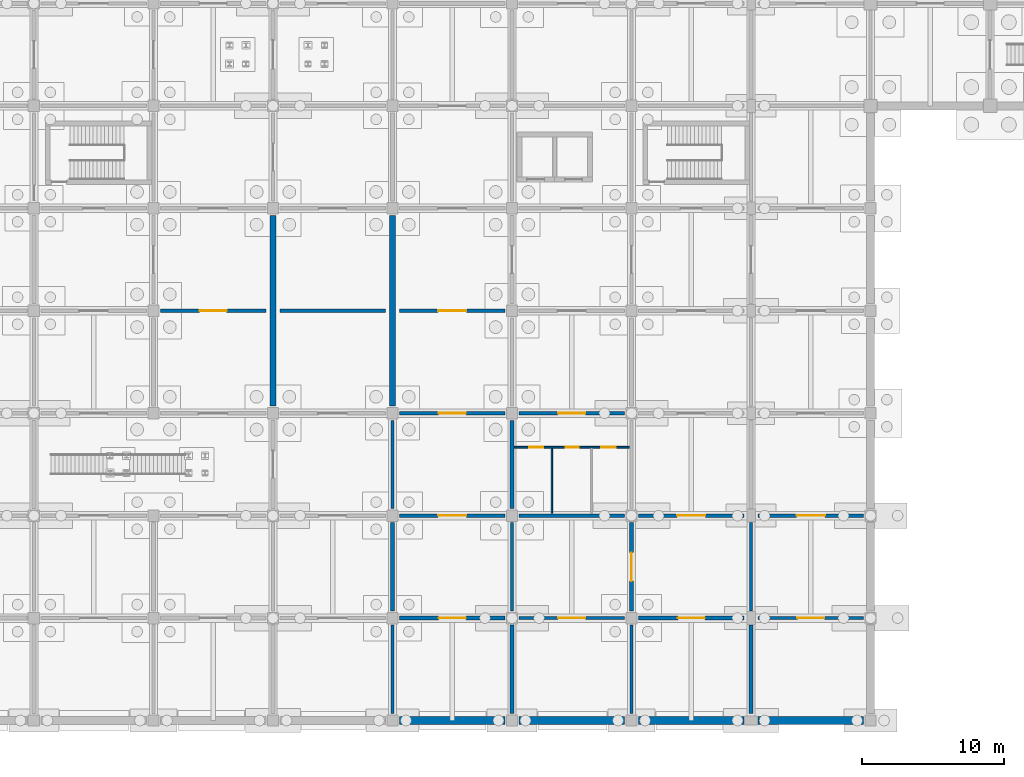
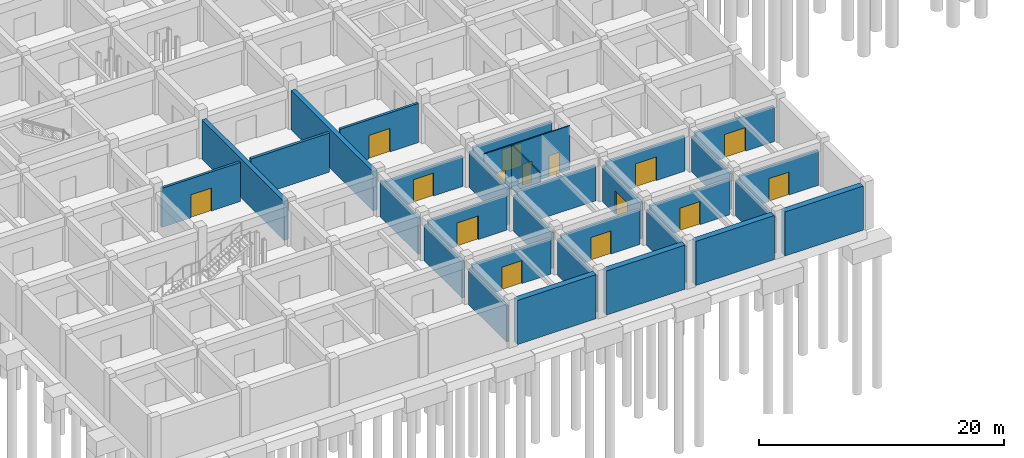
# One storey, part 24 of 38: 31 walls, 15 doors, 15 openings.
"""IFC4 building model written with IfcOpenShell, lengths in metres."""

from ifc_helpers import new_model, si_unit, derived_unit, direction, frame, frame_2d, origin, place, context, subcontext, project, spatial, rectangle, extrude, material, layer, layer_set, type_object, element, fill, save


model = new_model("IFC4")

# Units and contexts
model_context = context("Model", 3, precision=1e-05, world=origin(), true_north=direction((0.0, 1.0)))
body_context = subcontext(model_context, "Body", "Model", "MODEL_VIEW")
ifc_project = project(units=[si_unit("LENGTHUNIT", "METRE"), si_unit("AREAUNIT", "SQUARE_METRE"), si_unit("VOLUMEUNIT", "CUBIC_METRE"), si_unit("PLANEANGLEUNIT", "RADIAN"), si_unit("MASSUNIT", "GRAM", prefix="KILO"), derived_unit("THERMALTRANSMITTANCEUNIT", [(si_unit("MASSUNIT", "GRAM", prefix="KILO"), 1), (si_unit("TIMEUNIT", "SECOND"), -3), (si_unit("THERMODYNAMICTEMPERATUREUNIT", "KELVIN"), -1)])], contexts=[model_context])

# Site, building, storey
site_placement = place(None, origin())
site = spatial("IfcSite", under=ifc_project, at=site_placement, CompositionType="ELEMENT")
building_placement = place(site_placement, origin())
building = spatial("IfcBuilding", under=site, at=building_placement, Name="Veldstrom Oceanarium and Marine Research Institute", CompositionType="ELEMENT")
storey_placement = place(building_placement, frame((0.0, 0.0, -9.60009765625)))
storey = spatial("IfcBuildingStorey", under=building, at=storey_placement, Name="B02", CompositionType="ELEMENT", Elevation=-9.60009765625)

# Wall, opening, door
ifc_material_1 = material(Name="Masonry Fire Compartment Wall", Category="masonry")
ifc_layer_1 = layer(ifc_material_1, 0.22998046875)
ifc_layer_set_1 = layer_set([ifc_layer_1], Name="ARC-WAL-PT1")
wall_type_1 = type_object("IfcWallType", Name="ARC-WAL-PT1", PredefinedType="PARTITIONING", material=ifc_layer_set_1)
wall_1_placement = place(storey_placement, frame((17.300048828125, 28.800048828125, 0.0), z_axis=(0.0, 0.0, 1.0), x_axis=(1.0, 0.0, 0.0)))
wall_1 = element("IfcWall", 1, at=wall_1_placement, inside=storey, type_object=wall_type_1, Name="Interior Partition PT1 B02-0050", PredefinedType="PARTITIONING", context=body_context, shape_type="SweptSolid", body=[
    extrude(rectangle(XDim=7.39990234375, YDim=0.22998046875, at=frame_2d((3.699951171875, 0.0))), origin(), (0.0, 0.0, 1.0), 3.900146484375),
])
opening_1_placement = place(wall_1_placement, frame((2.75, 0.0, 0.0)))
opening_1 = element("IfcOpeningElement", 2, at=opening_1_placement, cuts=wall_1, Name="Opening D-B02-032", PredefinedType="OPENING", context=body_context, shape_type="SweptSolid", body=[
    extrude(rectangle(XDim=1.89990234375, YDim=2.300048828125, at=frame_2d((0.949951171875, 1.14990234375))), frame((0.0, 0.125, 0.0), z_axis=(0.0, -1.0, 0.0), x_axis=(1.0, 0.0, 0.0)), (0.0, 0.0, 1.0), 0.25),
])
ifc_material_2 = material(Name="Plant Hall Equipment Door", Category="steel")
door_type_1 = type_object("IfcDoorType", Name="ARC-DOR-ID12", OperationType="DOUBLE_DOOR_SINGLE_SWING", PredefinedType="DOOR", material=ifc_material_2)
door_1_placement = place(opening_1_placement, frame((1.89990234375, 0.0, 0.0), z_axis=(0.0, 0.0, 1.0), x_axis=(-1.0, 0.0, 0.0)))
door_1 = element("IfcDoor", 3, at=door_1_placement, inside=storey, type_object=door_type_1, Name="Interior Door D-B02-032", OperationType="DOUBLE_DOOR_SINGLE_SWING", OverallHeight=2.300048828125, OverallWidth=1.89990234375, PredefinedType="DOOR", context=body_context, shape_type="SweptSolid", body=[
    extrude(rectangle(XDim=1.89990234375, YDim=2.300048828125, at=frame_2d((0.949951171875, 1.14990234375))), frame((0.0, 0.02490234375, 0.0), z_axis=(0.0, -1.0, 0.0), x_axis=(1.0, 0.0, 0.0)), (0.0, 0.0, 1.0), 0.050048828125),
])
fill(opening_1, door_1)

# Walls
wall_2_placement = place(storey_placement, frame((33.60009765625, 0.5, 0.0), z_axis=(0.0, 0.0, 1.0), x_axis=(0.0, 1.0, 0.0)))
element("IfcWall", 4, at=wall_2_placement, inside=storey, type_object=wall_type_1, Name="Interior Partition PT1 B02-0061", PredefinedType="PARTITIONING", context=body_context, shape_type="SweptSolid", body=[
    extrude(rectangle(XDim=6.199951171875, YDim=0.22998046875, at=frame_2d((3.10009765625, 0.0))), origin(), (0.0, 0.0, 1.0), 3.59521484375),
])
wall_3_placement = place(storey_placement, frame((33.60009765625, 14.89990234375, 0.0), z_axis=(0.0, 0.0, 1.0), x_axis=(0.0, 1.0, 0.0)))
element("IfcWall", 5, at=wall_3_placement, inside=storey, type_object=wall_type_1, Name="Interior Partition PT1 B02-0065", PredefinedType="PARTITIONING", context=body_context, shape_type="SweptSolid", body=[
    extrude(rectangle(XDim=6.2001953125, YDim=0.22998046875, at=frame_2d((3.10009765625, 0.0))), origin(), (0.0, 0.0, 1.0), 3.59521484375),
])
wall_4_placement = place(storey_placement, frame((42.0, 7.699951171875, 0.0), z_axis=(0.0, 0.0, 1.0), x_axis=(0.0, 1.0, 0.0)))
element("IfcWall", 6, at=wall_4_placement, inside=storey, type_object=wall_type_1, Name="Interior Partition PT1 B02-0080", PredefinedType="PARTITIONING", context=body_context, shape_type="SweptSolid", body=[
    extrude(rectangle(XDim=6.199951171875, YDim=0.22998046875, at=frame_2d((3.10009765625, 0.0))), origin(), (0.0, 0.0, 1.0), 3.59521484375),
])

# Wall, opening, door
wall_5_placement = place(storey_placement, frame((34.10009765625, 14.39990234375, 0.0), z_axis=(0.0, 0.0, 1.0), x_axis=(1.0, 0.0, 0.0)))
wall_5 = element("IfcWall", 7, at=wall_5_placement, inside=storey, type_object=wall_type_1, Name="Interior Partition PT1 B02-0081", PredefinedType="PARTITIONING", context=body_context, shape_type="SweptSolid", body=[
    extrude(rectangle(XDim=7.39990234375, YDim=0.22998046875, at=frame_2d((3.699951171875, 0.0))), origin(), (0.0, 0.0, 1.0), 3.4951171875),
])
opening_2_placement = place(wall_5_placement, frame((2.699951171875, 0.0, 0.0)))
opening_2 = element("IfcOpeningElement", 8, at=opening_2_placement, cuts=wall_5, Name="Opening D-B02-047", PredefinedType="OPENING", context=body_context, shape_type="SweptSolid", body=[
    extrude(rectangle(XDim=2.0, YDim=2.35009765625, at=frame_2d((1.0, 1.175048828125))), frame((0.0, 0.125, 0.0), z_axis=(0.0, -1.0, 0.0), x_axis=(1.0, 0.0, 0.0)), (0.0, 0.0, 1.0), 0.25),
])
ifc_material_3 = material(Name="Filtration Hall Double Door", Category="steel")
door_type_2 = type_object("IfcDoorType", Name="ARC-DOR-ID18", OperationType="DOUBLE_DOOR_SINGLE_SWING", PredefinedType="DOOR", material=ifc_material_3)
door_2_placement = place(opening_2_placement, frame((2.0, 0.0, 0.0), z_axis=(0.0, 0.0, 1.0), x_axis=(-1.0, 0.0, 0.0)))
door_2 = element("IfcDoor", 9, at=door_2_placement, inside=storey, type_object=door_type_2, Name="Interior Door D-B02-047", OperationType="DOUBLE_DOOR_SINGLE_SWING", OverallHeight=2.35009765625, OverallWidth=2.0, PredefinedType="DOOR", context=body_context, shape_type="SweptSolid", body=[
    extrude(rectangle(XDim=2.0, YDim=2.35009765625, at=frame_2d((1.0, 1.175048828125))), frame((0.0, 0.02490234375, 0.0), z_axis=(0.0, -1.0, 0.0), x_axis=(1.0, 0.0, 0.0)), (0.0, 0.0, 1.0), 0.050048828125),
])
fill(opening_2, door_2)

wall_6_placement = place(storey_placement, frame((34.10009765625, 28.800048828125, 0.0), z_axis=(0.0, 0.0, 1.0), x_axis=(1.0, 0.0, 0.0)))
wall_6 = element("IfcWall", 10, at=wall_6_placement, inside=storey, type_object=wall_type_1, Name="Interior Partition PT1 B02-0085", PredefinedType="PARTITIONING", context=body_context, shape_type="SweptSolid", body=[
    extrude(rectangle(XDim=7.39990234375, YDim=0.22998046875, at=frame_2d((3.699951171875, 0.0))), origin(), (0.0, 0.0, 1.0), 3.900146484375),
])
opening_3_placement = place(wall_6_placement, frame((2.699951171875, 0.0, 0.0)))
opening_3 = element("IfcOpeningElement", 11, at=opening_3_placement, cuts=wall_6, Name="Opening D-B02-049", PredefinedType="OPENING", context=body_context, shape_type="SweptSolid", body=[
    extrude(rectangle(XDim=2.0, YDim=2.35009765625, at=frame_2d((1.0, 1.175048828125))), frame((0.0, 0.125, 0.0), z_axis=(0.0, -1.0, 0.0), x_axis=(1.0, 0.0, 0.0)), (0.0, 0.0, 1.0), 0.25),
])
door_3_placement = place(opening_3_placement, frame((2.0, 0.0, 0.0), z_axis=(0.0, 0.0, 1.0), x_axis=(-1.0, 0.0, 0.0)))
door_3 = element("IfcDoor", 12, at=door_3_placement, inside=storey, type_object=door_type_2, Name="Interior Door D-B02-049", OperationType="DOUBLE_DOOR_SINGLE_SWING", OverallHeight=2.35009765625, OverallWidth=2.0, PredefinedType="DOOR", context=body_context, shape_type="SweptSolid", body=[
    extrude(rectangle(XDim=2.0, YDim=2.35009765625, at=frame_2d((1.0, 1.175048828125))), frame((0.0, 0.02490234375, 0.0), z_axis=(0.0, -1.0, 0.0), x_axis=(1.0, 0.0, 0.0)), (0.0, 0.0, 1.0), 0.050048828125),
])
fill(opening_3, door_3)

# Wall
wall_7_placement = place(storey_placement, frame((50.39990234375, 0.5, 0.0), z_axis=(0.0, 0.0, 1.0), x_axis=(0.0, 1.0, 0.0)))
element("IfcWall", 13, at=wall_7_placement, inside=storey, type_object=wall_type_1, Name="Interior Partition PT1 B02-0097", PredefinedType="PARTITIONING", context=body_context, shape_type="SweptSolid", body=[
    extrude(rectangle(XDim=6.199951171875, YDim=0.22998046875, at=frame_2d((3.10009765625, 0.0))), origin(), (0.0, 0.0, 1.0), 3.59521484375),
])

# Wall, opening, door
wall_8_placement = place(storey_placement, frame((42.5, 7.199951171875, 0.0), z_axis=(0.0, 0.0, 1.0), x_axis=(1.0, 0.0, 0.0)))
wall_8 = element("IfcWall", 14, at=wall_8_placement, inside=storey, type_object=wall_type_1, Name="Interior Partition PT1 B02-0098", PredefinedType="PARTITIONING", context=body_context, shape_type="SweptSolid", body=[
    extrude(rectangle(XDim=7.39990234375, YDim=0.22998046875, at=frame_2d((3.699951171875, 0.0))), origin(), (0.0, 0.0, 1.0), 3.4951171875),
])
opening_4_placement = place(wall_8_placement, frame((2.75, 0.0, 0.0)))
opening_4 = element("IfcOpeningElement", 15, at=opening_4_placement, cuts=wall_8, Name="Opening D-B02-056", PredefinedType="OPENING", context=body_context, shape_type="SweptSolid", body=[
    extrude(rectangle(XDim=1.89990234375, YDim=2.300048828125, at=frame_2d((0.949951171875, 1.14990234375))), frame((0.0, 0.125, 0.0), z_axis=(0.0, -1.0, 0.0), x_axis=(1.0, 0.0, 0.0)), (0.0, 0.0, 1.0), 0.25),
])
door_4_placement = place(opening_4_placement, frame((1.89990234375, 0.0, 0.0), z_axis=(0.0, 0.0, 1.0), x_axis=(-1.0, 0.0, 0.0)))
door_4 = element("IfcDoor", 16, at=door_4_placement, inside=storey, type_object=door_type_1, Name="Interior Door D-B02-056", OperationType="DOUBLE_DOOR_SINGLE_SWING", OverallHeight=2.300048828125, OverallWidth=1.89990234375, PredefinedType="DOOR", context=body_context, shape_type="SweptSolid", body=[
    extrude(rectangle(XDim=1.89990234375, YDim=2.300048828125, at=frame_2d((0.949951171875, 1.14990234375))), frame((0.0, 0.02490234375, 0.0), z_axis=(0.0, -1.0, 0.0), x_axis=(1.0, 0.0, 0.0)), (0.0, 0.0, 1.0), 0.050048828125),
])
fill(opening_4, door_4)

wall_9_placement = place(storey_placement, frame((42.5, 21.60009765625, 0.0), z_axis=(0.0, 0.0, 1.0), x_axis=(1.0, 0.0, 0.0)))
wall_9 = element("IfcWall", 17, at=wall_9_placement, inside=storey, type_object=wall_type_1, Name="Interior Partition PT1 B02-0102", PredefinedType="PARTITIONING", context=body_context, shape_type="SweptSolid", body=[
    extrude(rectangle(XDim=7.39990234375, YDim=0.22998046875, at=frame_2d((3.699951171875, 0.0))), origin(), (0.0, 0.0, 1.0), 3.4951171875),
])
opening_5_placement = place(wall_9_placement, frame((2.75, 0.0, 0.0)))
opening_5 = element("IfcOpeningElement", 18, at=opening_5_placement, cuts=wall_9, Name="Opening D-B02-058", PredefinedType="OPENING", context=body_context, shape_type="SweptSolid", body=[
    extrude(rectangle(XDim=1.89990234375, YDim=2.300048828125, at=frame_2d((0.949951171875, 1.14990234375))), frame((0.0, 0.125, 0.0), z_axis=(0.0, -1.0, 0.0), x_axis=(1.0, 0.0, 0.0)), (0.0, 0.0, 1.0), 0.25),
])
door_5_placement = place(opening_5_placement, frame((1.89990234375, 0.0, 0.0), z_axis=(0.0, 0.0, 1.0), x_axis=(-1.0, 0.0, 0.0)))
door_5 = element("IfcDoor", 19, at=door_5_placement, inside=storey, type_object=door_type_1, Name="Interior Door D-B02-058", OperationType="DOUBLE_DOOR_SINGLE_SWING", OverallHeight=2.300048828125, OverallWidth=1.89990234375, PredefinedType="DOOR", context=body_context, shape_type="SweptSolid", body=[
    extrude(rectangle(XDim=1.89990234375, YDim=2.300048828125, at=frame_2d((0.949951171875, 1.14990234375))), frame((0.0, 0.02490234375, 0.0), z_axis=(0.0, -1.0, 0.0), x_axis=(1.0, 0.0, 0.0)), (0.0, 0.0, 1.0), 0.050048828125),
])
fill(opening_5, door_5)

# Wall
wall_10_placement = place(storey_placement, frame((58.800048828125, 7.699951171875, 0.0), z_axis=(0.0, 0.0, 1.0), x_axis=(0.0, 1.0, 0.0)))
element("IfcWall", 20, at=wall_10_placement, inside=storey, type_object=wall_type_1, Name="Interior Partition PT1 B02-0118", PredefinedType="PARTITIONING", context=body_context, shape_type="SweptSolid", body=[
    extrude(rectangle(XDim=6.199951171875, YDim=0.22998046875, at=frame_2d((3.10009765625, 0.0))), origin(), (0.0, 0.0, 1.0), 3.59521484375),
])

# Wall, opening, door
wall_11_placement = place(storey_placement, frame((50.89990234375, 14.39990234375, 0.0), z_axis=(0.0, 0.0, 1.0), x_axis=(1.0, 0.0, 0.0)))
wall_11 = element("IfcWall", 21, at=wall_11_placement, inside=storey, type_object=wall_type_1, Name="Interior Partition PT1 B02-0119", PredefinedType="PARTITIONING", context=body_context, shape_type="SweptSolid", body=[
    extrude(rectangle(XDim=7.400146484375, YDim=0.22998046875, at=frame_2d((3.7001953125, 0.0))), origin(), (0.0, 0.0, 1.0), 3.4951171875),
])
opening_6_placement = place(wall_11_placement, frame((2.699951171875, 0.0, 0.0)))
opening_6 = element("IfcOpeningElement", 22, at=opening_6_placement, cuts=wall_11, Name="Opening D-B02-067", PredefinedType="OPENING", context=body_context, shape_type="SweptSolid", body=[
    extrude(rectangle(XDim=2.0, YDim=2.35009765625, at=frame_2d((1.0, 1.175048828125))), frame((0.0, 0.125, 0.0), z_axis=(0.0, -1.0, 0.0), x_axis=(1.0, 0.0, 0.0)), (0.0, 0.0, 1.0), 0.25),
])
door_6_placement = place(opening_6_placement, frame((2.0, 0.0, 0.0), z_axis=(0.0, 0.0, 1.0), x_axis=(-1.0, 0.0, 0.0)))
door_6 = element("IfcDoor", 23, at=door_6_placement, inside=storey, type_object=door_type_2, Name="Interior Door D-B02-067", OperationType="DOUBLE_DOOR_SINGLE_SWING", OverallHeight=2.35009765625, OverallWidth=2.0, PredefinedType="DOOR", context=body_context, shape_type="SweptSolid", body=[
    extrude(rectangle(XDim=2.0, YDim=2.35009765625, at=frame_2d((1.0, 1.175048828125))), frame((0.0, 0.02490234375, 0.0), z_axis=(0.0, -1.0, 0.0), x_axis=(1.0, 0.0, 0.0)), (0.0, 0.0, 1.0), 0.050048828125),
])
fill(opening_6, door_6)

wall_12_placement = place(storey_placement, frame((59.300048828125, 7.199951171875, 0.0), z_axis=(0.0, 0.0, 1.0), x_axis=(1.0, 0.0, 0.0)))
wall_12 = element("IfcWall", 24, at=wall_12_placement, inside=storey, type_object=wall_type_1, Name="Interior Partition PT1 B02-0135", PredefinedType="PARTITIONING", context=body_context, shape_type="SweptSolid", body=[
    extrude(rectangle(XDim=7.39990234375, YDim=0.22998046875, at=frame_2d((3.699951171875, 0.0))), origin(), (0.0, 0.0, 1.0), 3.4951171875),
])
opening_7_placement = place(wall_12_placement, frame((2.75, 0.0, 0.0)))
opening_7 = element("IfcOpeningElement", 25, at=opening_7_placement, cuts=wall_12, Name="Opening D-B02-076", PredefinedType="OPENING", context=body_context, shape_type="SweptSolid", body=[
    extrude(rectangle(XDim=1.89990234375, YDim=2.300048828125, at=frame_2d((0.949951171875, 1.14990234375))), frame((0.0, 0.125, 0.0), z_axis=(0.0, -1.0, 0.0), x_axis=(1.0, 0.0, 0.0)), (0.0, 0.0, 1.0), 0.25),
])
door_7_placement = place(opening_7_placement, frame((1.89990234375, 0.0, 0.0), z_axis=(0.0, 0.0, 1.0), x_axis=(-1.0, 0.0, 0.0)))
door_7 = element("IfcDoor", 26, at=door_7_placement, inside=storey, type_object=door_type_1, Name="Interior Door D-B02-076", OperationType="DOUBLE_DOOR_SINGLE_SWING", OverallHeight=2.300048828125, OverallWidth=1.89990234375, PredefinedType="DOOR", context=body_context, shape_type="SweptSolid", body=[
    extrude(rectangle(XDim=1.89990234375, YDim=2.300048828125, at=frame_2d((0.949951171875, 1.14990234375))), frame((0.0, 0.02490234375, 0.0), z_axis=(0.0, -1.0, 0.0), x_axis=(1.0, 0.0, 0.0)), (0.0, 0.0, 1.0), 0.050048828125),
])
fill(opening_7, door_7)

# Wall, openings, doors
ifc_material_4 = material(Name="Lightweight Studio Partition", Category="gypsum")
ifc_layer_2 = layer(ifc_material_4, 0.1201171875)
ifc_layer_set_2 = layer_set([ifc_layer_2], Name="ARC-WAL-PT6")
wall_type_2 = type_object("IfcWallType", Name="ARC-WAL-PT6", PredefinedType="PARTITIONING", material=ifc_layer_set_2)
wall_13_placement = place(storey_placement, frame((42.14990234375, 19.199951171875, 0.0), z_axis=(0.0, 0.0, 1.0), x_axis=(1.0, 0.0, 0.0)))
wall_13 = element("IfcWall", 27, at=wall_13_placement, inside=storey, type_object=wall_type_2, Name="Sanitary Vestibule Partition B02-5", PredefinedType="PARTITIONING", context=body_context, shape_type="SweptSolid", body=[
    extrude(rectangle(XDim=8.10009765625, YDim=0.1201171875, at=frame_2d((4.050048828125, 0.0))), origin(), (0.0, 0.0, 1.0), 4.400146484375),
])
opening_8_placement = place(wall_13_placement, frame((1.080078125, 0.0, 0.0)))
opening_8 = element("IfcOpeningElement", 28, at=opening_8_placement, cuts=wall_13, Name="Opening D-B02-WC004", PredefinedType="OPENING", context=body_context, shape_type="SweptSolid", body=[
    extrude(rectangle(XDim=0.949951171875, YDim=2.10009765625, at=frame_2d((0.47509765625, 1.050048828125))), frame((0.0, 0.070068359375, 0.0), z_axis=(0.0, -1.0, 0.0), x_axis=(1.0, 0.0, 0.0)), (0.0, 0.0, 1.0), 0.14013671875),
])
opening_9_placement = place(wall_13_placement, frame((3.6298828125, 0.0, 0.0)))
opening_9 = element("IfcOpeningElement", 29, at=opening_9_placement, cuts=wall_13, Name="Opening D-B02-WC005", PredefinedType="OPENING", context=body_context, shape_type="SweptSolid", body=[
    extrude(rectangle(XDim=0.89990234375, YDim=2.10009765625, at=frame_2d((0.449951171875, 1.050048828125))), frame((0.0, 0.070068359375, 0.0), z_axis=(0.0, -1.0, 0.0), x_axis=(1.0, 0.0, 0.0)), (0.0, 0.0, 1.0), 0.14013671875),
])
opening_10_placement = place(wall_13_placement, frame((6.1298828125, 0.0, 0.0)))
opening_10 = element("IfcOpeningElement", 30, at=opening_10_placement, cuts=wall_13, Name="Opening D-B02-WC006", PredefinedType="OPENING", context=body_context, shape_type="SweptSolid", body=[
    extrude(rectangle(XDim=1.0, YDim=2.10009765625, at=frame_2d((0.5, 1.050048828125))), frame((0.0, 0.070068359375, 0.0), z_axis=(0.0, -1.0, 0.0), x_axis=(1.0, 0.0, 0.0)), (0.0, 0.0, 1.0), 0.14013671875),
])
ifc_material_5 = material(Name="Accessible Sanitary Door", Category="timber")
door_type_3 = type_object("IfcDoorType", Name="ARC-DOR-ID08", OperationType="SINGLE_SWING_RIGHT", PredefinedType="DOOR", material=ifc_material_5)
door_8_placement = place(opening_10_placement, frame((1.0, 0.0, 0.0), z_axis=(0.0, 0.0, 1.0), x_axis=(-1.0, 0.0, 0.0)))
door_8 = element("IfcDoor", 31, at=door_8_placement, inside=storey, type_object=door_type_3, Name="Accessible WC Door D-B02-WC006", OperationType="SINGLE_SWING_RIGHT", OverallHeight=2.10009765625, OverallWidth=1.0, PredefinedType="DOOR", context=body_context, shape_type="SweptSolid", body=[
    extrude(rectangle(XDim=1.0, YDim=2.10009765625, at=frame_2d((0.5, 1.050048828125))), frame((0.0, 0.02490234375, 0.0), z_axis=(0.0, -1.0, 0.0), x_axis=(1.0, 0.0, 0.0)), (0.0, 0.0, 1.0), 0.050048828125),
])
fill(opening_10, door_8)
ifc_material_6 = material(Name="Staff Sanitary Door", Category="timber")
door_type_4 = type_object("IfcDoorType", Name="ARC-DOR-ID09", OperationType="SINGLE_SWING_LEFT", PredefinedType="DOOR", material=ifc_material_6)
door_9_placement = place(opening_8_placement, frame((0.949951171875, 0.0, 0.0), z_axis=(0.0, 0.0, 1.0), x_axis=(-1.0, 0.0, 0.0)))
door_9 = element("IfcDoor", 32, at=door_9_placement, inside=storey, type_object=door_type_4, Name="Male WC Door D-B02-WC004", OperationType="SINGLE_SWING_RIGHT", OverallHeight=2.10009765625, OverallWidth=0.949951171875, PredefinedType="DOOR", context=body_context, shape_type="SweptSolid", body=[
    extrude(rectangle(XDim=0.949951171875, YDim=2.10009765625, at=frame_2d((0.47509765625, 1.050048828125))), frame((0.0, 0.02490234375, 0.0), z_axis=(0.0, -1.0, 0.0), x_axis=(1.0, 0.0, 0.0)), (0.0, 0.0, 1.0), 0.050048828125),
])
fill(opening_8, door_9)
ifc_material_7 = material(Name="Internal Sanitary Door", Category="timber")
door_type_5 = type_object("IfcDoorType", Name="ARC-DOR-ID10", OperationType="SINGLE_SWING_RIGHT", PredefinedType="DOOR", material=ifc_material_7)
door_10_placement = place(opening_9_placement, frame((0.89990234375, 0.0, 0.0), z_axis=(0.0, 0.0, 1.0), x_axis=(-1.0, 0.0, 0.0)))
door_10 = element("IfcDoor", 33, at=door_10_placement, inside=storey, type_object=door_type_5, Name="Female WC Door D-B02-WC005", OperationType="SINGLE_SWING_LEFT", OverallHeight=2.10009765625, OverallWidth=0.89990234375, PredefinedType="DOOR", context=body_context, shape_type="SweptSolid", body=[
    extrude(rectangle(XDim=0.89990234375, YDim=2.10009765625, at=frame_2d((0.449951171875, 1.050048828125))), frame((0.0, 0.02490234375, 0.0), z_axis=(0.0, -1.0, 0.0), x_axis=(1.0, 0.0, 0.0)), (0.0, 0.0, 1.0), 0.050048828125),
])
fill(opening_9, door_10)

# Walls
ifc_material_8 = material(Name="Sanitary Cubicle Partition", Category="gypsum")
ifc_layer_3 = layer(ifc_material_8, 0.10009765625)
ifc_layer_set_3 = layer_set([ifc_layer_3], Name="ARC-WAL-PT7")
wall_type_3 = type_object("IfcWallType", Name="ARC-WAL-PT7", PredefinedType="PARTITIONING", material=ifc_layer_set_3)
wall_14_placement = place(storey_placement, frame((44.800048828125, 14.550048828125, 0.0), z_axis=(0.0, 0.0, 1.0), x_axis=(0.0, 1.0, 0.0)))
element("IfcWall", 34, at=wall_14_placement, inside=storey, type_object=wall_type_3, Name="Sanitary Stall Divider Wall B02-0005", PredefinedType="PARTITIONING", context=body_context, shape_type="SweptSolid", body=[
    extrude(rectangle(XDim=4.58984375, YDim=0.10009765625, at=frame_2d((2.294921875, 0.0))), origin(), (0.0, 0.0, 1.0), 4.400146484375),
])
ifc_material_9 = material(Name="Plant Acoustic Masonry Wall", Category="masonry")
ifc_layer_4 = layer(ifc_material_9, 0.260009765625)
ifc_layer_set_4 = layer_set([ifc_layer_4], Name="ARC-WAL-PT8")
wall_type_4 = type_object("IfcWallType", Name="ARC-WAL-PT8", PredefinedType="PARTITIONING", material=ifc_layer_set_4)
wall_15_placement = place(storey_placement, frame((33.60009765625, 7.699951171875, 0.0), z_axis=(0.0, 0.0, 1.0), x_axis=(0.0, 1.0, 0.0)))
element("IfcWall", 35, at=wall_15_placement, inside=storey, type_object=wall_type_4, Name="Interior Partition PT8 B02-0063", PredefinedType="PARTITIONING", context=body_context, shape_type="SweptSolid", body=[
    extrude(rectangle(XDim=6.199951171875, YDim=0.260009765625, at=frame_2d((3.10009765625, 0.0))), origin(), (0.0, 0.0, 1.0), 3.59521484375),
])
wall_16_placement = place(storey_placement, frame((25.699951171875, 28.800048828125, 0.0), z_axis=(0.0, 0.0, 1.0), x_axis=(1.0, 0.0, 0.0)))
element("IfcWall", 36, at=wall_16_placement, inside=storey, type_object=wall_type_4, Name="Interior Partition PT8 B02-0067", PredefinedType="PARTITIONING", context=body_context, shape_type="SweptSolid", body=[
    extrude(rectangle(XDim=7.400146484375, YDim=0.260009765625, at=frame_2d((3.7001953125, 0.0))), origin(), (0.0, 0.0, 1.0), 3.900146484375),
])
wall_17_placement = place(storey_placement, frame((42.0, 0.5, 0.0), z_axis=(0.0, 0.0, 1.0), x_axis=(0.0, 1.0, 0.0)))
element("IfcWall", 37, at=wall_17_placement, inside=storey, type_object=wall_type_4, Name="Interior Partition PT8 B02-0078", PredefinedType="PARTITIONING", context=body_context, shape_type="SweptSolid", body=[
    extrude(rectangle(XDim=6.199951171875, YDim=0.260009765625, at=frame_2d((3.10009765625, 0.0))), origin(), (0.0, 0.0, 1.0), 3.59521484375),
])

# Wall, opening, door
wall_18_placement = place(storey_placement, frame((34.10009765625, 7.199951171875, 0.0), z_axis=(0.0, 0.0, 1.0), x_axis=(1.0, 0.0, 0.0)))
wall_18 = element("IfcWall", 38, at=wall_18_placement, inside=storey, type_object=wall_type_4, Name="Interior Partition PT8 B02-0079", PredefinedType="PARTITIONING", context=body_context, shape_type="SweptSolid", body=[
    extrude(rectangle(XDim=7.39990234375, YDim=0.260009765625, at=frame_2d((3.699951171875, 0.0))), origin(), (0.0, 0.0, 1.0), 3.4951171875),
])
opening_11_placement = place(wall_18_placement, frame((2.75, 0.0, 0.0)))
opening_11 = element("IfcOpeningElement", 39, at=opening_11_placement, cuts=wall_18, Name="Opening D-B02-046", PredefinedType="OPENING", context=body_context, shape_type="SweptSolid", body=[
    extrude(rectangle(XDim=1.89990234375, YDim=2.300048828125, at=frame_2d((0.949951171875, 1.14990234375))), frame((0.0, 0.139892578125, 0.0), z_axis=(0.0, -1.0, 0.0), x_axis=(1.0, 0.0, 0.0)), (0.0, 0.0, 1.0), 0.280029296875),
])
door_11_placement = place(opening_11_placement, origin())
door_11 = element("IfcDoor", 40, at=door_11_placement, inside=storey, type_object=door_type_1, Name="Interior Door D-B02-046", OperationType="DOUBLE_DOOR_SINGLE_SWING", OverallHeight=2.300048828125, OverallWidth=1.89990234375, PredefinedType="DOOR", context=body_context, shape_type="SweptSolid", body=[
    extrude(rectangle(XDim=1.89990234375, YDim=2.300048828125, at=frame_2d((0.949951171875, 1.14990234375))), frame((0.0, 0.02490234375, 0.0), z_axis=(0.0, -1.0, 0.0), x_axis=(1.0, 0.0, 0.0)), (0.0, 0.0, 1.0), 0.050048828125),
])
fill(opening_11, door_11)

# Wall
wall_19_placement = place(storey_placement, frame((42.0, 14.89990234375, 0.0), z_axis=(0.0, 0.0, 1.0), x_axis=(0.0, 1.0, 0.0)))
element("IfcWall", 41, at=wall_19_placement, inside=storey, type_object=wall_type_4, Name="Interior Partition PT8 B02-0082", PredefinedType="PARTITIONING", context=body_context, shape_type="SweptSolid", body=[
    extrude(rectangle(XDim=6.2001953125, YDim=0.260009765625, at=frame_2d((3.10009765625, 0.0))), origin(), (0.0, 0.0, 1.0), 3.59521484375),
])

# Wall, opening, door
wall_20_placement = place(storey_placement, frame((34.10009765625, 21.60009765625, 0.0), z_axis=(0.0, 0.0, 1.0), x_axis=(1.0, 0.0, 0.0)))
wall_20 = element("IfcWall", 42, at=wall_20_placement, inside=storey, type_object=wall_type_4, Name="Interior Partition PT8 B02-0083", PredefinedType="PARTITIONING", context=body_context, shape_type="SweptSolid", body=[
    extrude(rectangle(XDim=7.39990234375, YDim=0.260009765625, at=frame_2d((3.699951171875, 0.0))), origin(), (0.0, 0.0, 1.0), 2.9951171875),
])
opening_12_placement = place(wall_20_placement, frame((2.75, 0.0, 0.0)))
opening_12 = element("IfcOpeningElement", 43, at=opening_12_placement, cuts=wall_20, Name="Opening D-B02-048", PredefinedType="OPENING", context=body_context, shape_type="SweptSolid", body=[
    extrude(rectangle(XDim=1.89990234375, YDim=2.300048828125, at=frame_2d((0.949951171875, 1.14990234375))), frame((0.0, 0.139892578125, 0.0), z_axis=(0.0, -1.0, 0.0), x_axis=(1.0, 0.0, 0.0)), (0.0, 0.0, 1.0), 0.280029296875),
])
door_12_placement = place(opening_12_placement, origin())
door_12 = element("IfcDoor", 44, at=door_12_placement, inside=storey, type_object=door_type_1, Name="Interior Door D-B02-048", OperationType="DOUBLE_DOOR_SINGLE_SWING", OverallHeight=2.300048828125, OverallWidth=1.89990234375, PredefinedType="DOOR", context=body_context, shape_type="SweptSolid", body=[
    extrude(rectangle(XDim=1.89990234375, YDim=2.300048828125, at=frame_2d((0.949951171875, 1.14990234375))), frame((0.0, 0.02490234375, 0.0), z_axis=(0.0, -1.0, 0.0), x_axis=(1.0, 0.0, 0.0)), (0.0, 0.0, 1.0), 0.050048828125),
])
fill(opening_12, door_12)

wall_21_placement = place(storey_placement, frame((50.39990234375, 7.699951171875, 0.0), z_axis=(0.0, 0.0, 1.0), x_axis=(0.0, 1.0, 0.0)))
wall_21 = element("IfcWall", 45, at=wall_21_placement, inside=storey, type_object=wall_type_4, Name="Interior Partition PT8 B02-0099", PredefinedType="PARTITIONING", context=body_context, shape_type="SweptSolid", body=[
    extrude(rectangle(XDim=6.199951171875, YDim=0.260009765625, at=frame_2d((3.10009765625, 0.0))), origin(), (0.0, 0.0, 1.0), 3.59521484375),
])
opening_13_placement = place(wall_21_placement, frame((2.10009765625, 0.0, 0.0)))
opening_13 = element("IfcOpeningElement", 46, at=opening_13_placement, cuts=wall_21, Name="Opening D-B02-057", PredefinedType="OPENING", context=body_context, shape_type="SweptSolid", body=[
    extrude(rectangle(XDim=2.0, YDim=2.35009765625, at=frame_2d((1.0, 1.175048828125))), frame((0.0, 0.139892578125, 0.0), z_axis=(0.0, -1.0, 0.0), x_axis=(1.0, 0.0, 0.0)), (0.0, 0.0, 1.0), 0.280029296875),
])
door_13_placement = place(opening_13_placement, frame((2.0, 0.0, 0.0), z_axis=(0.0, 0.0, 1.0), x_axis=(-1.0, 0.0, 0.0)))
door_13 = element("IfcDoor", 47, at=door_13_placement, inside=storey, type_object=door_type_2, Name="Interior Door D-B02-057", OperationType="DOUBLE_DOOR_SINGLE_SWING", OverallHeight=2.35009765625, OverallWidth=2.0, PredefinedType="DOOR", context=body_context, shape_type="SweptSolid", body=[
    extrude(rectangle(XDim=2.0, YDim=2.35009765625, at=frame_2d((1.0, 1.175048828125))), frame((0.0, 0.02490234375, 0.0), z_axis=(0.0, -1.0, 0.0), x_axis=(1.0, 0.0, 0.0)), (0.0, 0.0, 1.0), 0.050048828125),
])
fill(opening_13, door_13)

# Walls
wall_22_placement = place(storey_placement, frame((42.5, 14.39990234375, 0.0), z_axis=(0.0, 0.0, 1.0), x_axis=(1.0, 0.0, 0.0)))
element("IfcWall", 48, at=wall_22_placement, inside=storey, type_object=wall_type_4, Name="Interior Partition PT8 B02-0100", PredefinedType="PARTITIONING", context=body_context, shape_type="SweptSolid", body=[
    extrude(rectangle(XDim=7.39990234375, YDim=0.260009765625, at=frame_2d((3.699951171875, 0.0))), origin(), (0.0, 0.0, 1.0), 3.4951171875),
])
wall_23_placement = place(storey_placement, frame((58.800048828125, 0.5, 0.0), z_axis=(0.0, 0.0, 1.0), x_axis=(0.0, 1.0, 0.0)))
element("IfcWall", 49, at=wall_23_placement, inside=storey, type_object=wall_type_4, Name="Interior Partition PT8 B02-0116", PredefinedType="PARTITIONING", context=body_context, shape_type="SweptSolid", body=[
    extrude(rectangle(XDim=6.199951171875, YDim=0.260009765625, at=frame_2d((3.10009765625, 0.0))), origin(), (0.0, 0.0, 1.0), 3.59521484375),
])

# Wall, opening, door
wall_24_placement = place(storey_placement, frame((50.89990234375, 7.199951171875, 0.0), z_axis=(0.0, 0.0, 1.0), x_axis=(1.0, 0.0, 0.0)))
wall_24 = element("IfcWall", 50, at=wall_24_placement, inside=storey, type_object=wall_type_4, Name="Interior Partition PT8 B02-0117", PredefinedType="PARTITIONING", context=body_context, shape_type="SweptSolid", body=[
    extrude(rectangle(XDim=7.400146484375, YDim=0.260009765625, at=frame_2d((3.7001953125, 0.0))), origin(), (0.0, 0.0, 1.0), 3.4951171875),
])
opening_14_placement = place(wall_24_placement, frame((2.75, 0.0, 0.0)))
opening_14 = element("IfcOpeningElement", 51, at=opening_14_placement, cuts=wall_24, Name="Opening D-B02-066", PredefinedType="OPENING", context=body_context, shape_type="SweptSolid", body=[
    extrude(rectangle(XDim=1.89990234375, YDim=2.300048828125, at=frame_2d((0.949951171875, 1.14990234375))), frame((0.0, 0.139892578125, 0.0), z_axis=(0.0, -1.0, 0.0), x_axis=(1.0, 0.0, 0.0)), (0.0, 0.0, 1.0), 0.280029296875),
])
door_14_placement = place(opening_14_placement, origin())
door_14 = element("IfcDoor", 52, at=door_14_placement, inside=storey, type_object=door_type_1, Name="Interior Door D-B02-066", OperationType="DOUBLE_DOOR_SINGLE_SWING", OverallHeight=2.300048828125, OverallWidth=1.89990234375, PredefinedType="DOOR", context=body_context, shape_type="SweptSolid", body=[
    extrude(rectangle(XDim=1.89990234375, YDim=2.300048828125, at=frame_2d((0.949951171875, 1.14990234375))), frame((0.0, 0.02490234375, 0.0), z_axis=(0.0, -1.0, 0.0), x_axis=(1.0, 0.0, 0.0)), (0.0, 0.0, 1.0), 0.050048828125),
])
fill(opening_14, door_14)

wall_25_placement = place(storey_placement, frame((59.300048828125, 14.39990234375, 0.0), z_axis=(0.0, 0.0, 1.0), x_axis=(1.0, 0.0, 0.0)))
wall_25 = element("IfcWall", 53, at=wall_25_placement, inside=storey, type_object=wall_type_4, Name="Interior Partition PT8 B02-0136", PredefinedType="PARTITIONING", context=body_context, shape_type="SweptSolid", body=[
    extrude(rectangle(XDim=7.39990234375, YDim=0.260009765625, at=frame_2d((3.699951171875, 0.0))), origin(), (0.0, 0.0, 1.0), 3.4951171875),
])
opening_15_placement = place(wall_25_placement, frame((2.699951171875, 0.0, 0.0)))
opening_15 = element("IfcOpeningElement", 54, at=opening_15_placement, cuts=wall_25, Name="Opening D-B02-077", PredefinedType="OPENING", context=body_context, shape_type="SweptSolid", body=[
    extrude(rectangle(XDim=2.0, YDim=2.35009765625, at=frame_2d((1.0, 1.175048828125))), frame((0.0, 0.139892578125, 0.0), z_axis=(0.0, -1.0, 0.0), x_axis=(1.0, 0.0, 0.0)), (0.0, 0.0, 1.0), 0.280029296875),
])
door_15_placement = place(opening_15_placement, origin())
door_15 = element("IfcDoor", 55, at=door_15_placement, inside=storey, type_object=door_type_2, Name="Interior Door D-B02-077", OperationType="DOUBLE_DOOR_SINGLE_SWING", OverallHeight=2.35009765625, OverallWidth=2.0, PredefinedType="DOOR", context=body_context, shape_type="SweptSolid", body=[
    extrude(rectangle(XDim=2.0, YDim=2.35009765625, at=frame_2d((1.0, 1.175048828125))), frame((0.0, 0.02490234375, 0.0), z_axis=(0.0, -1.0, 0.0), x_axis=(1.0, 0.0, 0.0)), (0.0, 0.0, 1.0), 0.050048828125),
])
fill(opening_15, door_15)

# Walls
ifc_material_10 = material(Name="Concrete C40/50", Category="concrete")
ifc_layer_5 = layer(ifc_material_10, 0.419921875)
ifc_layer_set_5 = layer_set([ifc_layer_5], Name="STR-WAL-WC1")
wall_type_5 = type_object("IfcWallType", Name="STR-WAL-WC1", PredefinedType="SHEAR", material=ifc_layer_set_5)
for number, where, z_axis, x_axis, name in (
    (56, (25.199951171875, 22.10009765625, 0.0), (0.0, 0.0, 1.0), (0.0, 1.0, 0.0), "Sub-Tank Shear Support Wall B02-1"),
    (57, (33.60009765625, 22.10009765625, 0.0), (0.0, 0.0, 1.0), (0.0, 1.0, 0.0), "Sub-Tank Shear Support Wall B02-2"),
):
    element("IfcWall", number, at=place(storey_placement, frame(where, z_axis=z_axis, x_axis=x_axis)), inside=storey, type_object=wall_type_5, Name=name, PredefinedType="SHEAR", context=body_context, shape_type="SweptSolid", body=[
        extrude(rectangle(XDim=13.39990234375, YDim=0.419921875, at=frame_2d((6.699951171875, 0.0))), origin(), (0.0, 0.0, 1.0), 3.900146484375),
    ])
ifc_material_11 = material(Name="Concrete C40/50", Category="concrete")
ifc_layer_6 = layer(ifc_material_11, 0.550048828125)
ifc_layer_set_6 = layer_set([ifc_layer_6], Name="STR-WAL-WR1")
wall_type_6 = type_object("IfcWallType", Name="STR-WAL-WR1", PredefinedType="USERDEFINED", material=ifc_layer_set_6)
for number, where, z_axis, x_axis, name in (
    (58, (34.10009765625, 0.0, 0.0), (0.0, 0.0, 1.0), (1.0, 0.0, 0.0), "Basement Retaining Wall WR1-B02-019"),
    (59, (42.5, 0.0, 0.0), (0.0, 0.0, 1.0), (1.0, 0.0, 0.0), "Basement Retaining Wall WR1-B02-021"),
):
    element("IfcWall", number, at=place(storey_placement, frame(where, z_axis=z_axis, x_axis=x_axis)), inside=storey, type_object=wall_type_6, Name=name, ObjectType="Retaining wall", PredefinedType="USERDEFINED", context=body_context, shape_type="SweptSolid", body=[
        extrude(rectangle(XDim=7.39990234375, YDim=0.550048828125, at=frame_2d((3.699951171875, 0.0))), origin(), (0.0, 0.0, 1.0), 4.400146484375),
    ])
wall_26_placement = place(storey_placement, frame((50.89990234375, 0.0, 0.0), z_axis=(0.0, 0.0, 1.0), x_axis=(1.0, 0.0, 0.0)))
element("IfcWall", 60, at=wall_26_placement, inside=storey, type_object=wall_type_6, Name="Basement Retaining Wall WR1-B02-023", ObjectType="Retaining wall", PredefinedType="USERDEFINED", context=body_context, shape_type="SweptSolid", body=[
    extrude(rectangle(XDim=7.400146484375, YDim=0.550048828125, at=frame_2d((3.7001953125, 0.0))), origin(), (0.0, 0.0, 1.0), 4.400146484375),
])
wall_27_placement = place(storey_placement, frame((59.300048828125, 0.0, 0.0), z_axis=(0.0, 0.0, 1.0), x_axis=(1.0, 0.0, 0.0)))
element("IfcWall", 61, at=wall_27_placement, inside=storey, type_object=wall_type_6, Name="Basement Retaining Wall WR1-B02-025", ObjectType="Retaining wall", PredefinedType="USERDEFINED", context=body_context, shape_type="SweptSolid", body=[
    extrude(rectangle(XDim=7.39990234375, YDim=0.550048828125, at=frame_2d((3.699951171875, 0.0))), origin(), (0.0, 0.0, 1.0), 4.400146484375),
])

save(model, "model.ifc")
